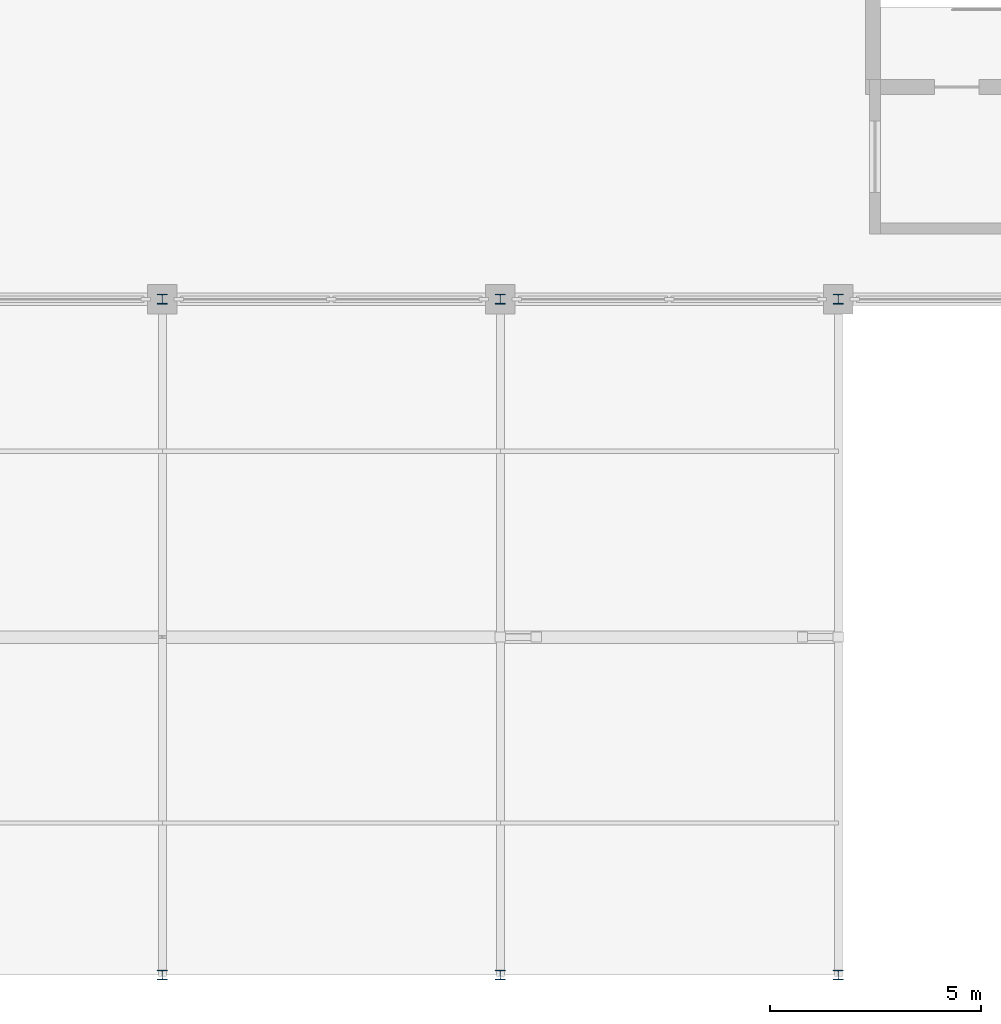
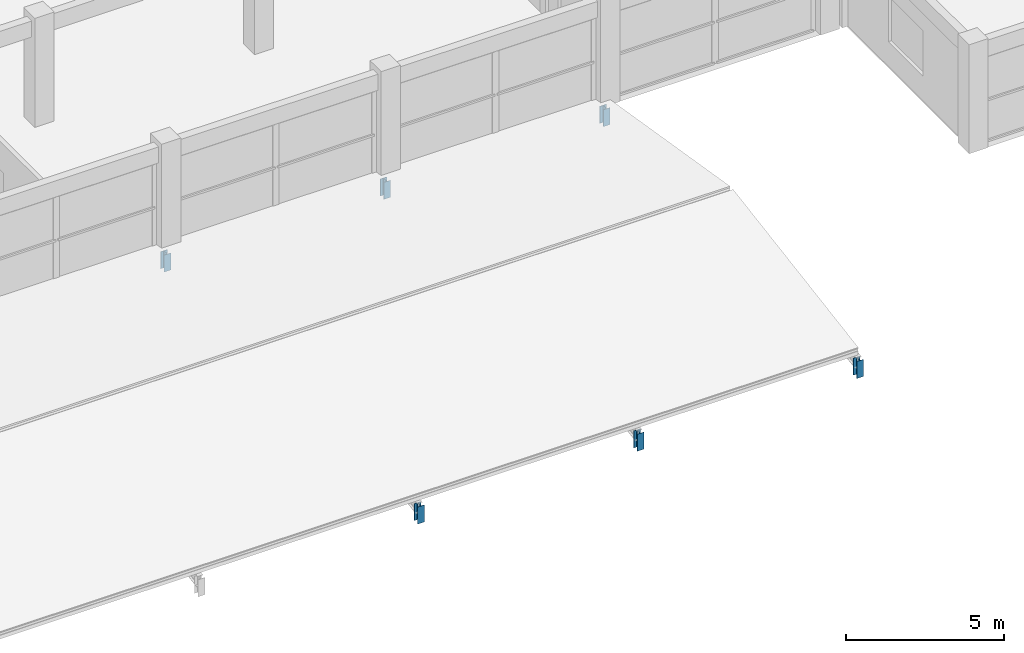
# One storey, part 31 of 67: 6 members.
"""IFC4 building model written with IfcOpenShell, lengths in metres."""

from ifc_helpers import new_model, si_unit, direction, frame, origin, origin_2d, place, context, subcontext, project, spatial, i_section, extrude, material, material_profile, profile_set, type_object, element, save


model = new_model("IFC4")

# Units and contexts
model_context = context("Model", 3, precision=1e-05, world=origin(), true_north=direction((0.0, 1.0)))
body_context = subcontext(model_context, "Body", "Model", "MODEL_VIEW")
ifc_project = project(units=[si_unit("LENGTHUNIT", "METRE"), si_unit("AREAUNIT", "SQUARE_METRE"), si_unit("VOLUMEUNIT", "CUBIC_METRE"), si_unit("PLANEANGLEUNIT", "RADIAN"), si_unit("MASSUNIT", "GRAM", prefix="KILO")], contexts=[model_context])

# Site, building, storey
site_placement = place(None, origin())
site = spatial("IfcSite", under=ifc_project, at=site_placement, CompositionType="ELEMENT")
building_placement = place(site_placement, origin())
building = spatial("IfcBuilding", under=site, at=building_placement, Name="Kenh Van Central Station", CompositionType="ELEMENT")
storey_placement = place(building_placement, frame((0.0, 0.0, 10.800048828125)))
storey = spatial("IfcBuildingStorey", under=building, at=storey_placement, Name="L02", CompositionType="ELEMENT", Elevation=10.800048828125)

# Members
ifc_material = material(Name="Steel S355", Category="steel")
ifc_material_profile = material_profile(ifc_material, i_section(OverallWidth=0.239990234375, OverallDepth=0.22998046875, WebThickness=0.007568359375, FlangeThickness=0.011962890625, FilletRadius=0.02099609375, at=origin_2d()), Name="HEA 240")
ifc_profile_set = profile_set([ifc_material_profile], Name="Steel S355")
member_type = type_object("IfcMemberType", Name="MEM-ROOF-POST240", PredefinedType="POST", material=ifc_profile_set)
for number, where, z_axis, x_axis, name in (
    (1, (96.0, 0.0, -0.949951171875), (0.0, 0.0, 1.0), (1.0, 0.0, 0.0), "L02 roof eave post 017"),
    (2, (96.0, 16.0, -0.949951171875), (0.0, 0.0, 1.0), (1.0, 0.0, 0.0), "L02 roof eave post 017"),
    (3, (104.0, 0.0, -0.949951171875), (0.0, 0.0, 1.0), (1.0, 0.0, 0.0), "L02 roof eave post 019"),
    (4, (104.0, 16.0, -0.949951171875), (0.0, 0.0, 1.0), (1.0, 0.0, 0.0), "L02 roof eave post 019"),
    (5, (112.0, 0.0, -0.949951171875), (0.0, 0.0, 1.0), (1.0, 0.0, 0.0), "L02 roof eave post 021"),
    (6, (112.0, 16.0, -0.949951171875), (0.0, 0.0, 1.0), (1.0, 0.0, 0.0), "L02 roof eave post 021"),
):
    element("IfcMember", number, at=place(storey_placement, frame(where, z_axis=z_axis, x_axis=x_axis)), inside=storey, type_object=member_type, Name=name, PredefinedType="POST", context=body_context, shape_type="SweptSolid", body=[
        extrude(i_section(OverallWidth=0.239990234375, OverallDepth=0.22998046875, WebThickness=0.007568359375, FlangeThickness=0.011962890625, FilletRadius=0.02099609375, at=origin_2d()), origin(), (0.0, 0.0, 1.0), 0.65478515625),
    ])

save(model, "model.ifc")
